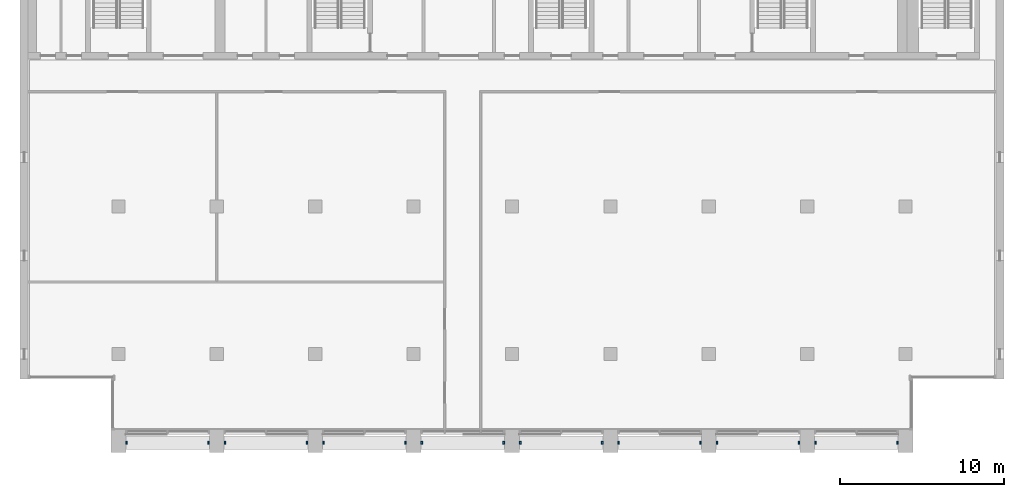
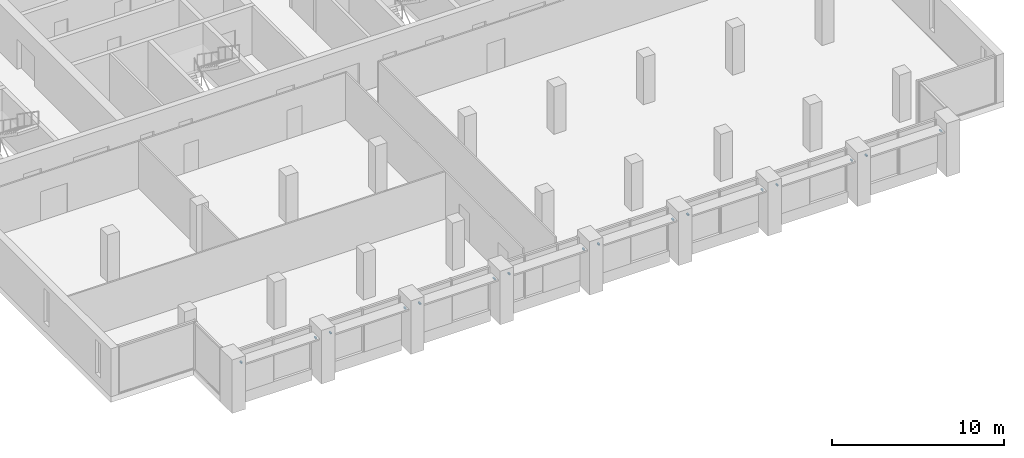
# One storey, part 13 of 14: 16 discrete accessories.
"""IFC4 building model written with IfcOpenShell, lengths in metres."""

import ifcopenshell
import ifcopenshell.guid

model = None  # the IFC model being written
_history = None  # IfcOwnerHistory: only IFC2X3 demands one
_inside = {}  # id of a spatial element -> (the spatial element, [elements in it])
_under = {}  # id of a project, library or spatial element -> (it, [spatial elements below it])
_declared = {}  # id of a project -> (the project, [libraries it declares])
_typed = {}  # id of a type object -> (the type object, [elements of that type])
_made_of = {}  # id of a material, layer set ... -> (it, [elements and type objects made of it])


def new_model(schema):
    """Start an empty IFC model of exactly this schema.

    Asked for "IFC4X3", IfcOpenShell would pick the latest addendum, in which some entities
    have other attributes; the version numbers below select the first issue.
    IFC2X3 requires an IfcOwnerHistory on every rooted entity: one is made here for all.
    """
    global model, _history
    if schema == "IFC4X3":
        model = ifcopenshell.file(schema_version=(4, 3, 0, 0))
    else:
        model = ifcopenshell.file(schema=schema)
    _inside.clear()
    _under.clear()
    _declared.clear()
    _typed.clear()
    _made_of.clear()
    _history = None
    if model.schema == "IFC2X3":
        org = make("IfcOrganization", Name="unknown")
        user = make(
            "IfcPersonAndOrganization",
            ThePerson=make("IfcPerson", FamilyName="unknown"),
            TheOrganization=org,
        )
        app = make(
            "IfcApplication",
            ApplicationDeveloper=org,
            Version="unknown",
            ApplicationFullName="unknown",
            ApplicationIdentifier="unknown",
        )
        _history = make(
            "IfcOwnerHistory",
            OwningUser=user,
            OwningApplication=app,
            ChangeAction="ADDED",
            CreationDate=0,
        )
    return model


def make(cls, **values):
    """One entity of the class cls with the attributes given. An attribute that is None is left unset."""
    return model.create_entity(
        cls, **{name: value for name, value in values.items() if value is not None}
    )


def rooted(cls, **values):
    """An entity with a GlobalId (a new one), such as an element, a storey or a relation."""
    return make(cls, GlobalId=ifcopenshell.guid.new(), OwnerHistory=_history, **values)


def si_unit(unit_type, name, prefix=None):
    """IfcSIUnit, for example si_unit("LENGTHUNIT", "METRE", prefix="MILLI")."""
    return make("IfcSIUnit", UnitType=unit_type, Prefix=prefix, Name=name)


def assignment(units):
    """IfcUnitAssignment: the units of a project."""
    return None if units is None else make("IfcUnitAssignment", Units=units)


def point(xyz):
    """IfcCartesianPoint."""
    return None if xyz is None else make("IfcCartesianPoint", Coordinates=xyz)


def direction(xyz):
    """IfcDirection."""
    return None if xyz is None else make("IfcDirection", DirectionRatios=xyz)


def frame(location, z_axis=None, x_axis=None):
    """IfcAxis2Placement3D, a coordinate frame: its origin and axes. An axis left out is left unset."""
    return make(
        "IfcAxis2Placement3D",
        Location=point(location),
        Axis=direction(z_axis),
        RefDirection=direction(x_axis),
    )


def frame_2d(location, x_axis=None):
    """IfcAxis2Placement2D, a coordinate frame in the plane: its origin and x axis."""
    return make(
        "IfcAxis2Placement2D", Location=point(location), RefDirection=direction(x_axis)
    )


def origin():
    """The frame at (0, 0, 0) with its axes left unset."""
    return frame((0.0, 0.0, 0.0))


def origin_2d():
    """The frame at (0, 0) in the plane with its x axis left unset."""
    return frame_2d((0.0, 0.0))


def place(relative_to, where):
    """IfcLocalPlacement: puts the frame where relative to a parent placement (None: the world)."""
    return make(
        "IfcLocalPlacement", PlacementRelTo=relative_to, RelativePlacement=where
    )


def context(
    kind, dimensions, precision=None, world=None, true_north=None, identifier=None
):
    """IfcGeometricRepresentationContext, for example the 3D "Model" context."""
    return make(
        "IfcGeometricRepresentationContext",
        ContextIdentifier=identifier,
        ContextType=kind,
        CoordinateSpaceDimension=dimensions,
        Precision=precision,
        WorldCoordinateSystem=world,
        TrueNorth=true_north,
    )


def subcontext(parent, identifier, kind, view, scale=None):
    """IfcGeometricRepresentationSubContext, for example "Body" below "Model"."""
    return make(
        "IfcGeometricRepresentationSubContext",
        ContextIdentifier=identifier,
        ContextType=kind,
        ParentContext=parent,
        TargetScale=scale,
        TargetView=view,
    )


def project(units=None, contexts=None):
    """IfcProject with its units and contexts."""
    return rooted(
        "IfcProject",
        Name="project",
        RepresentationContexts=contexts,
        UnitsInContext=assignment(units),
    )


def spatial(cls, under=None, at=None, **own):
    """A site, building, storey or space (cls), placed at a placement, below another one or the project."""
    s = rooted(cls, ObjectPlacement=at, **own)
    if under is not None:
        _under.setdefault(under.id(), (under, []))[1].append(s)
    return s


def profile(cls, at=None, kind="AREA", **sizes):
    """A parametric profile (cls). Its sizes go by their IFC names, for example OverallWidth=200.0."""
    return make(cls, ProfileType=kind, Position=at, **sizes)


def rectangle(**sizes):
    """IfcRectangleProfileDef."""
    return profile("IfcRectangleProfileDef", **sizes)


def extrude(swept, where, along, depth):
    """IfcExtrudedAreaSolid: the profile swept, set in the frame where, extruded along a direction by depth."""
    return make(
        "IfcExtrudedAreaSolid",
        SweptArea=swept,
        Position=where,
        ExtrudedDirection=direction(along),
        Depth=depth,
    )


def shape(context_of_items, identifier, shape_type, items):
    """IfcShapeRepresentation: the items that make up one representation, for example the "Body"."""
    return make(
        "IfcShapeRepresentation",
        ContextOfItems=context_of_items,
        RepresentationIdentifier=identifier,
        RepresentationType=shape_type,
        Items=items,
    )


def made_of(thing, what):
    """Note that an element or type object is made of a material, layer set ...; save() writes the relation."""
    if what is not None:
        _made_of.setdefault(what.id(), (what, []))[1].append(thing)
    return thing


def element(
    cls,
    number,
    at=None,
    inside=None,
    cuts=None,
    type_object=None,
    material=None,
    context=None,
    identifier="Body",
    shape_type=None,
    held_by="IfcProductDefinitionShape",
    body=None,
    shapes=None,
    **own,
):
    """One element of the class cls, such as IfcWall. Its Tag is "e" and its number.

    at: its placement. inside: the storey or other place that contains it. cuts: it is an
    opening in that element (IfcRelVoidsElement). A single representation is given by context,
    identifier, shape_type and body (its items); several are given by shapes. held_by: the class
    of the entity that holds the representations. save() writes the other relations.
    """
    e = rooted(cls, Tag="e%d" % number, ObjectPlacement=at, **own)
    if body is not None:
        shapes = [shape(context, identifier, shape_type, body)]
    if shapes is not None:
        e.Representation = make(held_by, Representations=shapes)
    if inside is not None:
        _inside.setdefault(inside.id(), (inside, []))[1].append(e)
    if cuts is not None:
        rooted(
            "IfcRelVoidsElement", RelatingBuildingElement=cuts, RelatedOpeningElement=e
        )
    if type_object is not None:
        _typed.setdefault(type_object.id(), (type_object, []))[1].append(e)
    return made_of(e, material)


def aggregate(whole, parts):
    """IfcRelAggregates: a whole, such as a stair, and the parts it consists of."""
    return rooted("IfcRelAggregates", RelatingObject=whole, RelatedObjects=parts)


def save(model, path):
    """Write the relations noted so far, then the file.

    IfcRelAggregates (storeys below a building ...), IfcRelContainedInSpatialStructure (elements
    in a storey), IfcRelDefinesByType, IfcRelAssociatesMaterial and IfcRelDeclares: one each for
    every whole, place, type object, material and project.
    """
    for whole, parts in _under.values():
        aggregate(whole, parts)
    for where, things in _inside.values():
        rooted(
            "IfcRelContainedInSpatialStructure",
            RelatedElements=things,
            RelatingStructure=where,
        )
    for kind, things in _typed.values():
        rooted("IfcRelDefinesByType", RelatedObjects=things, RelatingType=kind)
    for what, things in _made_of.values():
        rooted("IfcRelAssociatesMaterial", RelatedObjects=things, RelatingMaterial=what)
    for by, libraries in _declared.values():
        rooted("IfcRelDeclares", RelatingContext=by, RelatedDefinitions=libraries)
    model.write(path)


model = new_model("IFC4")

# Units and contexts
model_context = context("Model", 3, precision=1e-05, world=origin(), true_north=direction((0.0, 1.0)))
body_context = subcontext(model_context, "Body", "Model", "MODEL_VIEW")
ifc_project = project(units=[si_unit("LENGTHUNIT", "METRE"), si_unit("AREAUNIT", "SQUARE_METRE"), si_unit("VOLUMEUNIT", "CUBIC_METRE"), si_unit("PLANEANGLEUNIT", "RADIAN"), si_unit("MASSUNIT", "GRAM", prefix="KILO")], contexts=[model_context])

# Site, building, storey
site_placement = place(None, origin())
site = spatial("IfcSite", under=ifc_project, at=site_placement, CompositionType="ELEMENT")
building_placement = place(site_placement, origin())
building = spatial("IfcBuilding", under=site, at=building_placement, Name="Calvaro Tower", CompositionType="ELEMENT")
storey_placement = place(building_placement, frame((0.0, 0.0, 254.550048828125)))
storey = spatial("IfcBuildingStorey", under=building, at=storey_placement, Name="L64", CompositionType="ELEMENT", Elevation=254.550048828125)

# Discrete accessories
for number, where, z_axis, x_axis, name in (
    (1, (12.5, 4.60009765625, 2.5), (0.0, 0.0, 1.0), (1.0, 0.0, 0.0), "Brise-soleil bracket"),
    (2, (17.5, 4.60009765625, 2.5), (0.0, 0.0, 1.0), (1.0, 0.0, 0.0), "Brise-soleil bracket"),
    (3, (18.5, 4.60009765625, 2.5), (0.0, 0.0, 1.0), (1.0, 0.0, 0.0), "Brise-soleil bracket"),
    (4, (23.5, 4.60009765625, 2.5), (0.0, 0.0, 1.0), (1.0, 0.0, 0.0), "Brise-soleil bracket"),
    (5, (24.5, 4.60009765625, 2.5), (0.0, 0.0, 1.0), (1.0, 0.0, 0.0), "Brise-soleil bracket"),
    (6, (29.5, 4.60009765625, 2.5), (0.0, 0.0, 1.0), (1.0, 0.0, 0.0), "Brise-soleil bracket"),
    (7, (30.5, 4.60009765625, 2.5), (0.0, 0.0, 1.0), (1.0, 0.0, 0.0), "Brise-soleil bracket"),
    (8, (35.5, 4.60009765625, 2.5), (0.0, 0.0, 1.0), (1.0, 0.0, 0.0), "Brise-soleil bracket"),
    (9, (36.5, 4.60009765625, 2.5), (0.0, 0.0, 1.0), (1.0, 0.0, 0.0), "Brise-soleil bracket"),
    (10, (41.5, 4.60009765625, 2.5), (0.0, 0.0, 1.0), (1.0, 0.0, 0.0), "Brise-soleil bracket"),
    (11, (42.5, 4.60009765625, 2.5), (0.0, 0.0, 1.0), (1.0, 0.0, 0.0), "Brise-soleil bracket"),
    (12, (47.5, 4.60009765625, 2.5), (0.0, 0.0, 1.0), (1.0, 0.0, 0.0), "Brise-soleil bracket"),
    (13, (48.5, 4.60009765625, 2.5), (0.0, 0.0, 1.0), (1.0, 0.0, 0.0), "Brise-soleil bracket"),
    (14, (53.5, 4.60009765625, 2.5), (0.0, 0.0, 1.0), (1.0, 0.0, 0.0), "Brise-soleil bracket"),
    (15, (54.5, 4.60009765625, 2.5), (0.0, 0.0, 1.0), (1.0, 0.0, 0.0), "Brise-soleil bracket"),
    (16, (59.5, 4.60009765625, 2.5), (0.0, 0.0, 1.0), (1.0, 0.0, 0.0), "Brise-soleil bracket"),
):
    element("IfcDiscreteAccessory", number, at=place(storey_placement, frame(where, z_axis=z_axis, x_axis=x_axis)), inside=storey, Name=name, PredefinedType="BRACKET", context=body_context, shape_type="SweptSolid", body=[
        extrude(rectangle(XDim=0.10009765625, YDim=0.199951171875, at=origin_2d()), origin(), (0.0, 0.0, 1.0), 0.10009765625),
    ])

save(model, "model.ifc")
